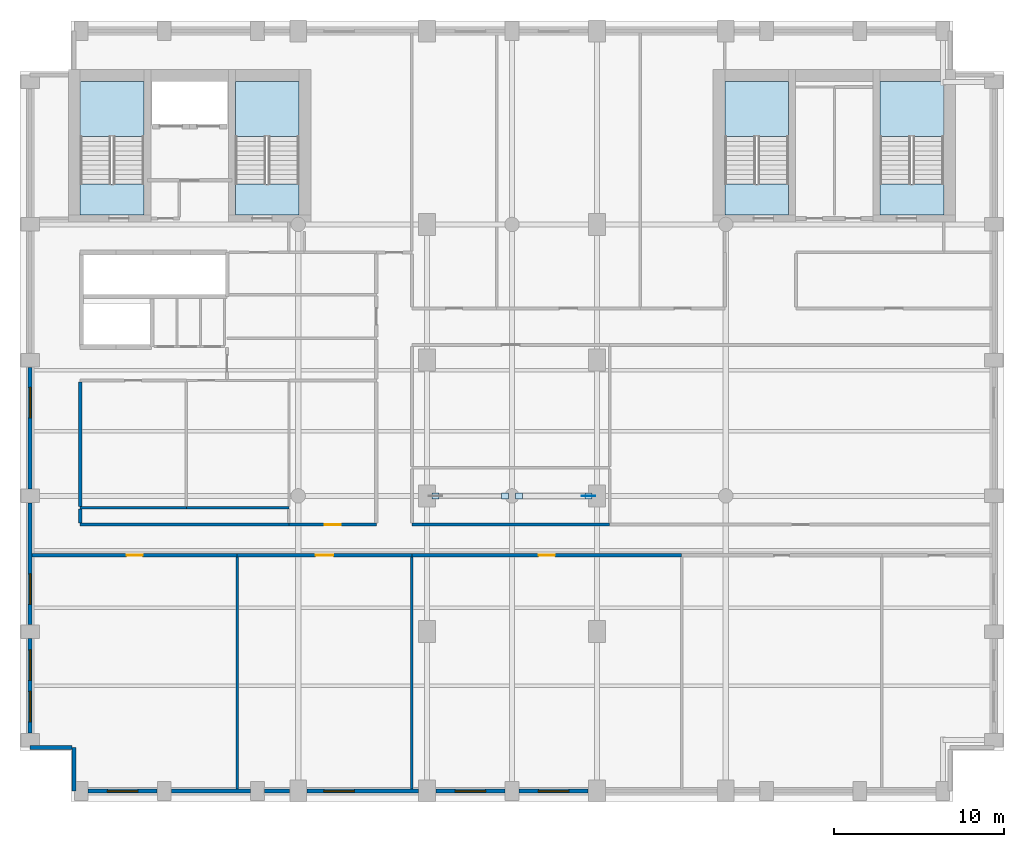
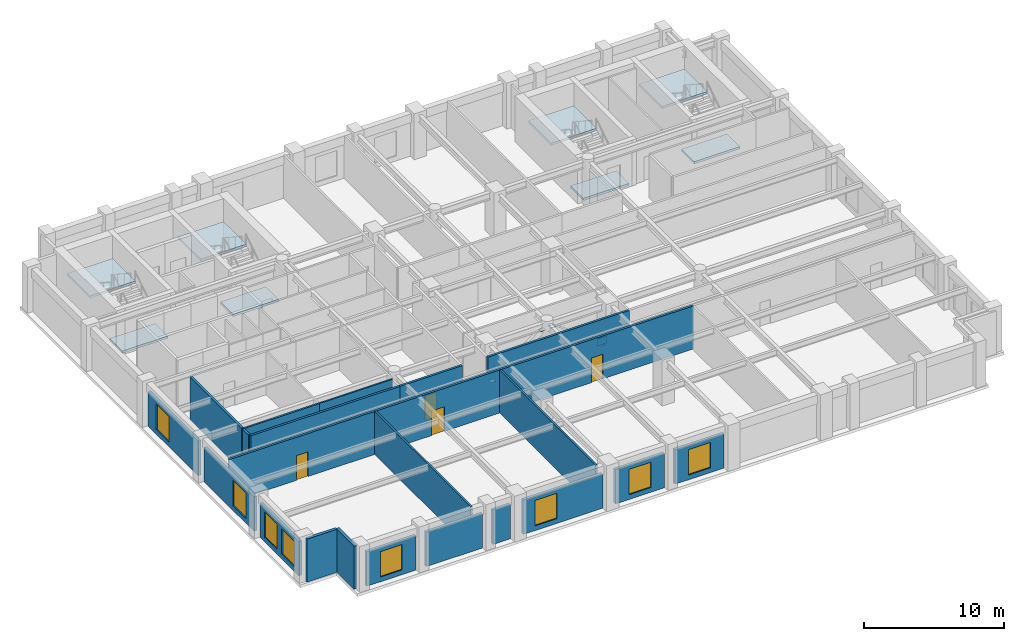
# One storey, part 4 of 10: 23 walls, 8 slabs, 8 windows, 5 plates, 4 doors, 12 openings, 4 elements without a shape of their own.
"""IFC4 building model written with IfcOpenShell, lengths in metres."""

from ifc_helpers import new_model, si_unit, direction, frame, frame_2d, origin, origin_2d, place, context, subcontext, project, spatial, polyline, rectangle, outline, extrude, material, layer, layer_set, type_object, element, fill, aggregate, save


model = new_model("IFC4")

# Units and contexts
model_context = context("Model", 3, precision=1e-05, world=origin(), true_north=direction((0.0, 1.0)))
body_context = subcontext(model_context, "Body", "Model", "MODEL_VIEW")
ifc_project = project(units=[si_unit("LENGTHUNIT", "METRE"), si_unit("AREAUNIT", "SQUARE_METRE"), si_unit("VOLUMEUNIT", "CUBIC_METRE"), si_unit("PLANEANGLEUNIT", "RADIAN"), si_unit("MASSUNIT", "GRAM", prefix="KILO")], contexts=[model_context])

# Site, building, storey
site_placement = place(None, origin())
site = spatial("IfcSite", under=ifc_project, at=site_placement, CompositionType="ELEMENT")
building_placement = place(site_placement, origin())
building = spatial("IfcBuilding", under=site, at=building_placement, Name="Sulina Concourse Tower", CompositionType="ELEMENT")
storey_placement = place(building_placement, frame((0.0, 0.0, 214.60009765625)))
storey = spatial("IfcBuildingStorey", under=building, at=storey_placement, Name="L52", CompositionType="ELEMENT", Elevation=214.60009765625)

# Slabs
ifc_material_1 = material(Name="Concrete C50/60", Category="concrete")
ifc_layer_1 = layer(ifc_material_1, 0.199951171875)
ifc_layer_set_1 = layer_set([ifc_layer_1], Name="Concrete C50/60")
slab_type = type_object("IfcSlabType", Name="Primary Core Stair Landing Slab 200mm", PredefinedType="LANDING", material=ifc_layer_set_1)
slab_1_placement = place(storey_placement, frame((0.0, 0.0, -0.2001953125)))
element("IfcSlab", 1, at=slab_1_placement, inside=storey, type_object=slab_type, Name="L52 ST-1 floor landing slab", PredefinedType="LANDING", context=body_context, shape_type="SweptSolid", body=[
    extrude(outline(polyline([(7.31005859375, 34.550048828125), (7.31005859375, 36.375), (3.550048828125, 36.375), (3.550048828125, 34.550048828125), (7.31005859375, 34.550048828125)])), origin(), (0.0, 0.0, 1.0), 0.2001953125),
])
slab_2_placement = place(storey_placement, frame((0.0, 0.0, -0.2001953125)))
element("IfcSlab", 2, at=slab_2_placement, inside=storey, type_object=slab_type, Name="L52 ST-2 floor landing slab", PredefinedType="LANDING", context=body_context, shape_type="SweptSolid", body=[
    extrude(outline(polyline([(16.449951171875, 34.550048828125), (16.449951171875, 36.375), (12.68994140625, 36.375), (12.68994140625, 34.550048828125), (16.449951171875, 34.550048828125)])), origin(), (0.0, 0.0, 1.0), 0.2001953125),
])
slab_3_placement = place(storey_placement, frame((0.0, 0.0, -0.2001953125)))
element("IfcSlab", 3, at=slab_3_placement, inside=storey, type_object=slab_type, Name="L52 ST-3 floor landing slab", PredefinedType="LANDING", context=body_context, shape_type="SweptSolid", body=[
    extrude(outline(polyline([(45.31005859375, 34.550048828125), (45.31005859375, 36.375), (41.550048828125, 36.375), (41.550048828125, 34.550048828125), (45.31005859375, 34.550048828125)])), origin(), (0.0, 0.0, 1.0), 0.2001953125),
])
slab_4_placement = place(storey_placement, frame((0.0, 0.0, -0.2001953125)))
element("IfcSlab", 4, at=slab_4_placement, inside=storey, type_object=slab_type, Name="L52 ST-4 floor landing slab", PredefinedType="LANDING", context=body_context, shape_type="SweptSolid", body=[
    extrude(outline(polyline([(54.449951171875, 34.550048828125), (54.449951171875, 36.375), (50.68994140625, 36.375), (50.68994140625, 34.550048828125), (54.449951171875, 34.550048828125)])), origin(), (0.0, 0.0, 1.0), 0.2001953125),
])

# Stair, slab
ifc_material_2 = material(Name="Concrete C50/60", Category="concrete")
stair_type_1 = type_object("IfcStairType", Name="Primary Core Dog-Leg Exit Stair 1800mm", PredefinedType="HALF_TURN_STAIR", material=ifc_material_2)
stair_1_placement = place(storey_placement, origin())
stair_1 = element("IfcStair", 5, at=stair_1_placement, inside=storey, type_object=stair_type_1, Name="L52 ST-1", PredefinedType="HALF_TURN_STAIR")
slab_5_placement = place(storey_placement, frame((0.0, 0.0, 1.7998046875)))
slab_5 = element("IfcSlab", 6, at=slab_5_placement, type_object=slab_type, Name="ST-1 landing 1", PredefinedType="LANDING", context=body_context, shape_type="SweptSolid", body=[
    extrude(outline(polyline([(7.304931640625, 39.175048828125), (7.304931640625, 42.425048828125), (3.554931640625, 42.425048828125), (3.554931640625, 39.175048828125), (7.304931640625, 39.175048828125)])), origin(), (0.0, 0.0, 1.0), 0.2001953125),
])
aggregate(stair_1, [slab_5])

stair_2_placement = place(storey_placement, origin())
stair_2 = element("IfcStair", 7, at=stair_2_placement, inside=storey, type_object=stair_type_1, Name="L52 ST-2", PredefinedType="HALF_TURN_STAIR")
slab_6_placement = place(storey_placement, frame((0.0, 0.0, 1.7998046875)))
slab_6 = element("IfcSlab", 8, at=slab_6_placement, type_object=slab_type, Name="ST-2 landing 1", PredefinedType="LANDING", context=body_context, shape_type="SweptSolid", body=[
    extrude(outline(polyline([(16.445068359375, 39.175048828125), (16.445068359375, 42.425048828125), (12.695068359375, 42.425048828125), (12.695068359375, 39.175048828125), (16.445068359375, 39.175048828125)])), origin(), (0.0, 0.0, 1.0), 0.2001953125),
])
aggregate(stair_2, [slab_6])

ifc_material_3 = material(Name="Concrete C50/60", Category="concrete")
stair_type_2 = type_object("IfcStairType", Name="Portal & Podium Core Exit Stair 1820mm", PredefinedType="HALF_TURN_STAIR", material=ifc_material_3)
stair_3_placement = place(storey_placement, origin())
stair_3 = element("IfcStair", 9, at=stair_3_placement, inside=storey, type_object=stair_type_2, Name="L52 ST-3", PredefinedType="HALF_TURN_STAIR")
slab_7_placement = place(storey_placement, frame((0.0, 0.0, 1.7998046875)))
slab_7 = element("IfcSlab", 10, at=slab_7_placement, type_object=slab_type, Name="ST-3 landing 1", PredefinedType="LANDING", context=body_context, shape_type="SweptSolid", body=[
    extrude(outline(polyline([(45.304931640625, 39.175048828125), (45.304931640625, 42.425048828125), (41.554931640625, 42.425048828125), (41.554931640625, 39.175048828125), (45.304931640625, 39.175048828125)])), origin(), (0.0, 0.0, 1.0), 0.2001953125),
])
aggregate(stair_3, [slab_7])

stair_4_placement = place(storey_placement, origin())
stair_4 = element("IfcStair", 11, at=stair_4_placement, inside=storey, type_object=stair_type_2, Name="L52 ST-4", PredefinedType="HALF_TURN_STAIR")
slab_8_placement = place(storey_placement, frame((0.0, 0.0, 1.7998046875)))
slab_8 = element("IfcSlab", 12, at=slab_8_placement, type_object=slab_type, Name="ST-4 landing 1", PredefinedType="LANDING", context=body_context, shape_type="SweptSolid", body=[
    extrude(outline(polyline([(54.445068359375, 39.175048828125), (54.445068359375, 42.425048828125), (50.695068359375, 42.425048828125), (50.695068359375, 39.175048828125), (54.445068359375, 39.175048828125)])), origin(), (0.0, 0.0, 1.0), 0.2001953125),
])
aggregate(stair_4, [slab_8])

# Plates
ifc_material_4 = material(Name="Steel S355", Category="steel")
ifc_layer_2 = layer(ifc_material_4, 0.0400390625)
ifc_layer_set_2 = layer_set([ifc_layer_2], Name="Steel S355")
plate_type_1 = type_object("IfcPlateType", Name="Upper Bridge Node Gusset Plate 40mm", PredefinedType="USERDEFINED", material=ifc_layer_set_2)
plate_placement = place(storey_placement, frame((33.510009765625, 18.0, 0.094970703125), z_axis=(0.0, 0.0, 1.0), x_axis=(1.0, 0.0, 0.0)))
element("IfcPlate", 13, at=plate_placement, inside=storey, type_object=plate_type_1, Name="UBT-DG-2-L52 node gusset plate", ObjectType="GUSSET_PLATE", PredefinedType="USERDEFINED", context=body_context, shape_type="SweptSolid", body=[
    extrude(rectangle(XDim=0.800048828125, YDim=0.0400390625, at=origin_2d()), origin(), (0.0, 0.0, 1.0), 0.64990234375),
])
ifc_material_5 = material(Name="Steel S355", Category="steel")
ifc_layer_3 = layer(ifc_material_5, 0.02001953125)
ifc_layer_set_3 = layer_set([ifc_layer_3], Name="Steel S355")
plate_type_2 = type_object("IfcPlateType", Name="Upper Hollow Brace End-Cap Plate 20mm", PredefinedType="USERDEFINED", material=ifc_layer_set_3)
for number, where, z_axis, x_axis, name in (
    (14, (24.489990234375, 18.0, 0.10986328125), (0.0, 0.0, 1.0), (1.0, 0.0, 0.0), "UBT-DG-1-L52 end cap plate 1"),
    (15, (28.5849609375, 18.0, 3.1298828125), (0.0, 0.0, 1.0), (1.0, 0.0, 0.0), "UBT-DG-1-L52 end cap plate 2"),
    (16, (33.510009765625, 18.0, 0.10986328125), (0.0, 0.0, 1.0), (1.0, 0.0, 0.0), "UBT-DG-2-L52 end cap plate 1"),
    (17, (29.4150390625, 18.0, 3.1298828125), (0.0, 0.0, 1.0), (1.0, 0.0, 0.0), "UBT-DG-2-L52 end cap plate 2"),
):
    element("IfcPlate", number, at=place(storey_placement, frame(where, z_axis=z_axis, x_axis=x_axis)), inside=storey, type_object=plate_type_2, Name=name, ObjectType="CAP_PLATE", PredefinedType="USERDEFINED", context=body_context, shape_type="SweptSolid", body=[
        extrude(rectangle(XDim=0.409912109375, YDim=0.360107421875, at=origin_2d()), origin(), (0.0, 0.0, 1.0), 0.02001953125),
    ])

# Wall, opening, window
ifc_material_6 = material(Name="Precast concrete C50/60", Category="concrete")
ifc_layer_4 = layer(ifc_material_6, 0.239990234375)
ifc_layer_set_4 = layer_set([ifc_layer_4], Name="Precast concrete C50/60")
wall_type_1 = type_object("IfcWallType", Name="Crown Precast Masonry-Frame Facade Wall 240mm", PredefinedType="SOLIDWALL", material=ifc_layer_set_4)
wall_1_placement = place(storey_placement, frame((8.080078125, 0.60009765625, 0.0), z_axis=(0.0, 0.0, 1.0), x_axis=(-1.0, 0.0, 0.0)))
wall_1 = element("IfcWall", 18, at=wall_1_placement, inside=storey, type_object=wall_type_1, Name="L52 exterior precast wall S1", PredefinedType="SOLIDWALL", context=body_context, shape_type="SweptSolid", body=[
    extrude(rectangle(XDim=4.06005859375, YDim=0.239990234375, at=frame_2d((2.030029296875, 0.0))), origin(), (0.0, 0.0, 1.0), 3.0),
])
opening_1_placement = place(wall_1_placement, frame((1.1298828125, 0.0, 0.419921875)))
opening_1 = element("IfcOpeningElement", 19, at=opening_1_placement, cuts=wall_1, Name="Opening WN-25", PredefinedType="OPENING", context=body_context, shape_type="SweptSolid", body=[
    extrude(rectangle(XDim=1.800048828125, YDim=2.199951171875, at=frame_2d((0.89990234375, 1.10009765625))), frame((0.0, 0.1298828125, 0.0), z_axis=(0.0, -1.0, 0.0), x_axis=(1.0, 0.0, 0.0)), (0.0, 0.0, 1.0), 0.260009765625),
])
ifc_material_7 = material(Name="Low-E solar double glazing in bronze aluminium", Category="aluminium")
window_type = type_object("IfcWindowType", Name="Punched Masonry-Frame Window 1800x2200", PartitioningType="SINGLE_PANEL", PredefinedType="WINDOW", material=ifc_material_7)
window_1_placement = place(opening_1_placement, origin())
window_1 = element("IfcWindow", 20, at=window_1_placement, inside=storey, type_object=window_type, Name="L52 punched window S1-1", OverallHeight=2.199951171875, OverallWidth=1.800048828125, PartitioningType="SINGLE_PANEL", PredefinedType="WINDOW", context=body_context, shape_type="SweptSolid", body=[
    extrude(rectangle(XDim=1.800048828125, YDim=2.199951171875, at=frame_2d((0.89990234375, 1.10009765625))), frame((0.0, 0.030029296875, 0.0), z_axis=(0.0, -1.0, 0.0), x_axis=(1.0, 0.0, 0.0)), (0.0, 0.0, 1.0), 0.06005859375),
])
fill(opening_1, window_1)

# Walls
wall_2_placement = place(storey_placement, frame((13.580078125, 0.60009765625, 0.0), z_axis=(0.0, 0.0, 1.0), x_axis=(-1.0, 0.0, 0.0)))
element("IfcWall", 21, at=wall_2_placement, inside=storey, type_object=wall_type_1, Name="L52 exterior precast wall S2", PredefinedType="SOLIDWALL", context=body_context, shape_type="SweptSolid", body=[
    extrude(rectangle(XDim=4.66015625, YDim=0.239990234375, at=frame_2d((2.330078125, 0.0))), origin(), (0.0, 0.0, 1.0), 3.0),
])
wall_3_placement = place(storey_placement, frame((15.8798828125, 0.60009765625, 0.0), z_axis=(0.0, 0.0, 1.0), x_axis=(-1.0, 0.0, 0.0)))
element("IfcWall", 22, at=wall_3_placement, inside=storey, type_object=wall_type_1, Name="L52 exterior precast wall S3", PredefinedType="SOLIDWALL", context=body_context, shape_type="SweptSolid", body=[
    extrude(rectangle(XDim=1.4599609375, YDim=0.239990234375, at=frame_2d((0.72998046875, 0.0))), origin(), (0.0, 0.0, 1.0), 3.0),
])

# Wall, opening, window
wall_4_placement = place(storey_placement, frame((23.47998046875, 0.60009765625, 0.0), z_axis=(0.0, 0.0, 1.0), x_axis=(-1.0, 0.0, 0.0)))
wall_4 = element("IfcWall", 23, at=wall_4_placement, inside=storey, type_object=wall_type_1, Name="L52 exterior precast wall S4", PredefinedType="SOLIDWALL", context=body_context, shape_type="SweptSolid", body=[
    extrude(rectangle(XDim=6.56005859375, YDim=0.239990234375, at=frame_2d((3.280029296875, 0.0))), origin(), (0.0, 0.0, 1.0), 3.0),
])
opening_2_placement = place(wall_4_placement, frame((3.773193359375, 0.0, 0.419921875)))
opening_2 = element("IfcOpeningElement", 24, at=opening_2_placement, cuts=wall_4, Name="Opening WN-25", PredefinedType="OPENING", context=body_context, shape_type="SweptSolid", body=[
    extrude(rectangle(XDim=1.800048828125, YDim=2.199951171875, at=frame_2d((0.89990234375, 1.10009765625))), frame((0.0, 0.1298828125, 0.0), z_axis=(0.0, -1.0, 0.0), x_axis=(1.0, 0.0, 0.0)), (0.0, 0.0, 1.0), 0.260009765625),
])
window_2_placement = place(opening_2_placement, origin())
window_2 = element("IfcWindow", 25, at=window_2_placement, inside=storey, type_object=window_type, Name="L52 punched window S4-1", OverallHeight=2.199951171875, OverallWidth=1.800048828125, PartitioningType="SINGLE_PANEL", PredefinedType="WINDOW", context=body_context, shape_type="SweptSolid", body=[
    extrude(rectangle(XDim=1.800048828125, YDim=2.199951171875, at=frame_2d((0.89990234375, 1.10009765625))), frame((0.0, 0.030029296875, 0.0), z_axis=(0.0, -1.0, 0.0), x_axis=(1.0, 0.0, 0.0)), (0.0, 0.0, 1.0), 0.06005859375),
])
fill(opening_2, window_2)

wall_5_placement = place(storey_placement, frame((28.580078125, 0.60009765625, 0.0), z_axis=(0.0, 0.0, 1.0), x_axis=(-1.0, 0.0, 0.0)))
wall_5 = element("IfcWall", 26, at=wall_5_placement, inside=storey, type_object=wall_type_1, Name="L52 exterior precast wall S5", PredefinedType="SOLIDWALL", context=body_context, shape_type="SweptSolid", body=[
    extrude(rectangle(XDim=4.06005859375, YDim=0.239990234375, at=frame_2d((2.030029296875, 0.0))), origin(), (0.0, 0.0, 1.0), 3.0),
])
opening_3_placement = place(wall_5_placement, frame((1.1298828125, 0.0, 0.419921875)))
opening_3 = element("IfcOpeningElement", 27, at=opening_3_placement, cuts=wall_5, Name="Opening WN-25", PredefinedType="OPENING", context=body_context, shape_type="SweptSolid", body=[
    extrude(rectangle(XDim=1.800048828125, YDim=2.199951171875, at=frame_2d((0.89990234375, 1.10009765625))), frame((0.0, 0.1298828125, 0.0), z_axis=(0.0, -1.0, 0.0), x_axis=(1.0, 0.0, 0.0)), (0.0, 0.0, 1.0), 0.260009765625),
])
window_3_placement = place(opening_3_placement, origin())
window_3 = element("IfcWindow", 28, at=window_3_placement, inside=storey, type_object=window_type, Name="L52 punched window S5-1", OverallHeight=2.199951171875, OverallWidth=1.800048828125, PartitioningType="SINGLE_PANEL", PredefinedType="WINDOW", context=body_context, shape_type="SweptSolid", body=[
    extrude(rectangle(XDim=1.800048828125, YDim=2.199951171875, at=frame_2d((0.89990234375, 1.10009765625))), frame((0.0, 0.030029296875, 0.0), z_axis=(0.0, -1.0, 0.0), x_axis=(1.0, 0.0, 0.0)), (0.0, 0.0, 1.0), 0.06005859375),
])
fill(opening_3, window_3)

wall_6_placement = place(storey_placement, frame((33.47998046875, 0.60009765625, 0.0), z_axis=(0.0, 0.0, 1.0), x_axis=(-1.0, 0.0, 0.0)))
wall_6 = element("IfcWall", 29, at=wall_6_placement, inside=storey, type_object=wall_type_1, Name="L52 exterior precast wall S6", PredefinedType="SOLIDWALL", context=body_context, shape_type="SweptSolid", body=[
    extrude(rectangle(XDim=4.06005859375, YDim=0.239990234375, at=frame_2d((2.030029296875, 0.0))), origin(), (0.0, 0.0, 1.0), 3.0),
])
opening_4_placement = place(wall_6_placement, frame((1.1298828125, 0.0, 0.419921875)))
opening_4 = element("IfcOpeningElement", 30, at=opening_4_placement, cuts=wall_6, Name="Opening WN-25", PredefinedType="OPENING", context=body_context, shape_type="SweptSolid", body=[
    extrude(rectangle(XDim=1.800048828125, YDim=2.199951171875, at=frame_2d((0.89990234375, 1.10009765625))), frame((0.0, 0.1298828125, 0.0), z_axis=(0.0, -1.0, 0.0), x_axis=(1.0, 0.0, 0.0)), (0.0, 0.0, 1.0), 0.260009765625),
])
window_4_placement = place(opening_4_placement, origin())
window_4 = element("IfcWindow", 31, at=window_4_placement, inside=storey, type_object=window_type, Name="L52 punched window S6-1", OverallHeight=2.199951171875, OverallWidth=1.800048828125, PartitioningType="SINGLE_PANEL", PredefinedType="WINDOW", context=body_context, shape_type="SweptSolid", body=[
    extrude(rectangle(XDim=1.800048828125, YDim=2.199951171875, at=frame_2d((0.89990234375, 1.10009765625))), frame((0.0, 0.030029296875, 0.0), z_axis=(0.0, -1.0, 0.0), x_axis=(1.0, 0.0, 0.0)), (0.0, 0.0, 1.0), 0.06005859375),
])
fill(opening_4, window_4)

# Wall, openings, windows
wall_7_placement = place(storey_placement, frame((0.60009765625, 4.02001953125, 0.0), z_axis=(0.0, 0.0, 1.0), x_axis=(0.0, 1.0, 0.0)))
wall_7 = element("IfcWall", 32, at=wall_7_placement, inside=storey, type_object=wall_type_1, Name="L52 exterior precast wall W1", PredefinedType="SOLIDWALL", context=body_context, shape_type="SweptSolid", body=[
    extrude(rectangle(XDim=5.56005859375, YDim=0.239990234375, at=frame_2d((2.780029296875, 0.0))), origin(), (0.0, 0.0, 1.0), 3.0),
])
opening_5_placement = place(wall_7_placement, frame((0.6533203125, 0.0, 0.419921875)))
opening_5 = element("IfcOpeningElement", 33, at=opening_5_placement, cuts=wall_7, Name="Opening WN-25", PredefinedType="OPENING", context=body_context, shape_type="SweptSolid", body=[
    extrude(rectangle(XDim=1.800048828125, YDim=2.199951171875, at=frame_2d((0.89990234375, 1.10009765625))), frame((0.0, 0.1298828125, 0.0), z_axis=(0.0, -1.0, 0.0), x_axis=(1.0, 0.0, 0.0)), (0.0, 0.0, 1.0), 0.260009765625),
])
opening_6_placement = place(wall_7_placement, frame((3.106689453125, 0.0, 0.419921875)))
opening_6 = element("IfcOpeningElement", 34, at=opening_6_placement, cuts=wall_7, Name="Opening WN-25", PredefinedType="OPENING", context=body_context, shape_type="SweptSolid", body=[
    extrude(rectangle(XDim=1.800048828125, YDim=2.199951171875, at=frame_2d((0.89990234375, 1.10009765625))), frame((0.0, 0.1298828125, 0.0), z_axis=(0.0, -1.0, 0.0), x_axis=(1.0, 0.0, 0.0)), (0.0, 0.0, 1.0), 0.260009765625),
])
window_5_placement = place(opening_5_placement, origin())
window_5 = element("IfcWindow", 35, at=window_5_placement, inside=storey, type_object=window_type, Name="L52 punched window W1-1", OverallHeight=2.199951171875, OverallWidth=1.800048828125, PartitioningType="SINGLE_PANEL", PredefinedType="WINDOW", context=body_context, shape_type="SweptSolid", body=[
    extrude(rectangle(XDim=1.800048828125, YDim=2.199951171875, at=frame_2d((0.89990234375, 1.10009765625))), frame((0.0, 0.030029296875, 0.0), z_axis=(0.0, -1.0, 0.0), x_axis=(1.0, 0.0, 0.0)), (0.0, 0.0, 1.0), 0.06005859375),
])
fill(opening_5, window_5)
window_6_placement = place(opening_6_placement, origin())
window_6 = element("IfcWindow", 36, at=window_6_placement, inside=storey, type_object=window_type, Name="L52 punched window W1-2", OverallHeight=2.199951171875, OverallWidth=1.800048828125, PartitioningType="SINGLE_PANEL", PredefinedType="WINDOW", context=body_context, shape_type="SweptSolid", body=[
    extrude(rectangle(XDim=1.800048828125, YDim=2.199951171875, at=frame_2d((0.89990234375, 1.10009765625))), frame((0.0, 0.030029296875, 0.0), z_axis=(0.0, -1.0, 0.0), x_axis=(1.0, 0.0, 0.0)), (0.0, 0.0, 1.0), 0.06005859375),
])
fill(opening_6, window_6)

# Wall, opening, window
wall_8_placement = place(storey_placement, frame((0.60009765625, 10.419921875, 0.0), z_axis=(0.0, 0.0, 1.0), x_axis=(0.0, 1.0, 0.0)))
wall_8 = element("IfcWall", 37, at=wall_8_placement, inside=storey, type_object=wall_type_1, Name="L52 exterior precast wall W2", PredefinedType="SOLIDWALL", context=body_context, shape_type="SweptSolid", body=[
    extrude(rectangle(XDim=7.16015625, YDim=0.239990234375, at=frame_2d((3.580078125, 0.0))), origin(), (0.0, 0.0, 1.0), 3.0),
])
opening_7_placement = place(wall_8_placement, frame((1.186767578125, 0.0, 0.419921875)))
opening_7 = element("IfcOpeningElement", 38, at=opening_7_placement, cuts=wall_8, Name="Opening WN-25", PredefinedType="OPENING", context=body_context, shape_type="SweptSolid", body=[
    extrude(rectangle(XDim=1.800048828125, YDim=2.199951171875, at=frame_2d((0.89990234375, 1.10009765625))), frame((0.0, 0.1298828125, 0.0), z_axis=(0.0, -1.0, 0.0), x_axis=(1.0, 0.0, 0.0)), (0.0, 0.0, 1.0), 0.260009765625),
])
window_7_placement = place(opening_7_placement, origin())
window_7 = element("IfcWindow", 39, at=window_7_placement, inside=storey, type_object=window_type, Name="L52 punched window W2-1", OverallHeight=2.199951171875, OverallWidth=1.800048828125, PartitioningType="SINGLE_PANEL", PredefinedType="WINDOW", context=body_context, shape_type="SweptSolid", body=[
    extrude(rectangle(XDim=1.800048828125, YDim=2.199951171875, at=frame_2d((0.89990234375, 1.10009765625))), frame((0.0, 0.030029296875, 0.0), z_axis=(0.0, -1.0, 0.0), x_axis=(1.0, 0.0, 0.0)), (0.0, 0.0, 1.0), 0.06005859375),
])
fill(opening_7, window_7)

wall_9_placement = place(storey_placement, frame((0.60009765625, 18.419921875, 0.0), z_axis=(0.0, 0.0, 1.0), x_axis=(0.0, 1.0, 0.0)))
wall_9 = element("IfcWall", 40, at=wall_9_placement, inside=storey, type_object=wall_type_1, Name="L52 exterior precast wall W3", PredefinedType="SOLIDWALL", context=body_context, shape_type="SweptSolid", body=[
    extrude(rectangle(XDim=7.16015625, YDim=0.239990234375, at=frame_2d((3.580078125, 0.0))), origin(), (0.0, 0.0, 1.0), 3.0),
])
opening_8_placement = place(wall_9_placement, frame((4.17333984375, 0.0, 0.419921875)))
opening_8 = element("IfcOpeningElement", 41, at=opening_8_placement, cuts=wall_9, Name="Opening WN-25", PredefinedType="OPENING", context=body_context, shape_type="SweptSolid", body=[
    extrude(rectangle(XDim=1.800048828125, YDim=2.199951171875, at=frame_2d((0.89990234375, 1.10009765625))), frame((0.0, 0.1298828125, 0.0), z_axis=(0.0, -1.0, 0.0), x_axis=(1.0, 0.0, 0.0)), (0.0, 0.0, 1.0), 0.260009765625),
])
window_8_placement = place(opening_8_placement, origin())
window_8 = element("IfcWindow", 42, at=window_8_placement, inside=storey, type_object=window_type, Name="L52 punched window W3-1", OverallHeight=2.199951171875, OverallWidth=1.800048828125, PartitioningType="SINGLE_PANEL", PredefinedType="WINDOW", context=body_context, shape_type="SweptSolid", body=[
    extrude(rectangle(XDim=1.800048828125, YDim=2.199951171875, at=frame_2d((0.89990234375, 1.10009765625))), frame((0.0, 0.030029296875, 0.0), z_axis=(0.0, -1.0, 0.0), x_axis=(1.0, 0.0, 0.0)), (0.0, 0.0, 1.0), 0.06005859375),
])
fill(opening_8, window_8)

# Walls
wall_10_placement = place(storey_placement, frame((3.179931640625, 0.60009765625, 0.0), z_axis=(0.0, 0.0, 1.0), x_axis=(0.0, 1.0, 0.0)))
element("IfcWall", 43, at=wall_10_placement, inside=storey, type_object=wall_type_1, Name="L52 exterior precast wall CSW1", PredefinedType="SOLIDWALL", context=body_context, shape_type="SweptSolid", body=[
    extrude(rectangle(XDim=2.579833984375, YDim=0.239990234375, at=frame_2d((1.2900390625, 0.0))), origin(), (0.0, 0.0, 1.0), 3.75),
])
wall_11_placement = place(storey_placement, frame((3.054931640625, 3.179931640625, 0.0), z_axis=(0.0, 0.0, 1.0), x_axis=(-1.0, 0.0, 0.0)))
element("IfcWall", 44, at=wall_11_placement, inside=storey, type_object=wall_type_1, Name="L52 exterior precast wall CSW2", PredefinedType="SOLIDWALL", context=body_context, shape_type="SweptSolid", body=[
    extrude(rectangle(XDim=2.454833984375, YDim=0.239990234375, at=frame_2d((1.2275390625, 0.0))), origin(), (0.0, 0.0, 1.0), 3.75),
])
ifc_material_8 = material(Name="Gypsum board on steel stud", Category="steel")
ifc_layer_5 = layer(ifc_material_8, 0.14990234375)
ifc_layer_set_5 = layer_set([ifc_layer_5], Name="Gypsum board on steel stud")
wall_type_2 = type_object("IfcWallType", Name="Inter-Tenancy Acoustic Partition 150mm", PredefinedType="PARTITIONING", material=ifc_layer_set_5)
wall_12_placement = place(storey_placement, frame((3.550048828125, 17.300048828125, 0.0), z_axis=(0.0, 0.0, 1.0), x_axis=(1.0, 0.0, 0.0)))
element("IfcWall", 45, at=wall_12_placement, inside=storey, type_object=wall_type_2, Name="L52 interior partition 010", PredefinedType="PARTITIONING", context=body_context, shape_type="SweptSolid", body=[
    extrude(rectangle(XDim=6.25, YDim=0.14990234375, at=frame_2d((3.125, 0.0))), origin(), (0.0, 0.0, 1.0), 3.75),
])
for number, where, z_axis, x_axis, name in (
    (46, (12.800048828125, 0.719970703125, 0.0), (0.0, 0.0, 1.0), (0.0, 1.0, 0.0), "L52 interior partition 046"),
    (47, (23.10009765625, 0.719970703125, 0.0), (0.0, 0.0, 1.0), (0.0, 1.0, 0.0), "L52 interior partition 055"),
):
    element("IfcWall", number, at=place(storey_placement, frame(where, z_axis=z_axis, x_axis=x_axis)), inside=storey, type_object=wall_type_2, Name=name, PredefinedType="PARTITIONING", context=body_context, shape_type="SweptSolid", body=[
        extrude(rectangle(XDim=13.68994140625, YDim=0.14990234375, at=frame_2d((6.844970703125, 0.0))), origin(), (0.0, 0.0, 1.0), 3.75),
    ])

# Wall, opening, door
ifc_material_9 = material(Name="Gypsum board on steel stud", Category="steel")
ifc_layer_6 = layer(ifc_material_9, 0.179931640625)
ifc_layer_set_6 = layer_set([ifc_layer_6], Name="Gypsum board on steel stud")
wall_type_3 = type_object("IfcWallType", Name="Protected Corridor & Riser Partition 180mm", PredefinedType="PARTITIONING", material=ifc_layer_set_6)
wall_13_placement = place(storey_placement, frame((0.719970703125, 14.5, 0.0), z_axis=(0.0, 0.0, 1.0), x_axis=(1.0, 0.0, 0.0)))
wall_13 = element("IfcWall", 48, at=wall_13_placement, inside=storey, type_object=wall_type_3, Name="L52 interior partition 001", PredefinedType="PARTITIONING", context=body_context, shape_type="SweptSolid", body=[
    extrude(rectangle(XDim=12.080078125, YDim=0.179931640625, at=frame_2d((6.0400390625, 0.0))), origin(), (0.0, 0.0, 1.0), 3.75),
])
opening_9_placement = place(wall_13_placement, frame((5.56494140625, 0.0, 0.0)))
opening_9 = element("IfcOpeningElement", 49, at=opening_9_placement, cuts=wall_13, Name="Opening DR-19", PredefinedType="OPENING", context=body_context, shape_type="SweptSolid", body=[
    extrude(rectangle(XDim=0.949951171875, YDim=2.14990234375, at=frame_2d((0.47509765625, 1.074951171875))), frame((0.0, 0.099853515625, 0.0), z_axis=(0.0, -1.0, 0.0), x_axis=(1.0, 0.0, 0.0)), (0.0, 0.0, 1.0), 0.199951171875),
])
ifc_material_10 = material(Name="Oak-veneered acoustic timber leaf", Category="wood")
ifc_layer_7 = layer(ifc_material_10, 0.050048828125)
ifc_layer_set_7 = layer_set([ifc_layer_7], Name="Oak-veneered acoustic timber leaf")
door_type_1 = type_object("IfcDoorType", Name="Cellular Office & Meeting Door 950x2150", OperationType="NOTDEFINED", PredefinedType="DOOR", material=ifc_layer_set_7)
door_1_placement = place(opening_9_placement, origin())
door_1 = element("IfcDoor", 50, at=door_1_placement, inside=storey, type_object=door_type_1, Name="L52 interior door L52-S01", OperationType="SINGLE_SWING_LEFT", OverallHeight=2.14990234375, OverallWidth=0.949951171875, PredefinedType="DOOR", context=body_context, shape_type="SweptSolid", body=[
    extrude(rectangle(XDim=0.949951171875, YDim=2.14990234375, at=frame_2d((0.47509765625, 1.074951171875))), frame((0.0, 0.02490234375, 0.0), z_axis=(0.0, -1.0, 0.0), x_axis=(1.0, 0.0, 0.0)), (0.0, 0.0, 1.0), 0.050048828125),
])
fill(opening_9, door_1)

wall_14_placement = place(storey_placement, frame((12.800048828125, 14.5, 0.0), z_axis=(0.0, 0.0, 1.0), x_axis=(1.0, 0.0, 0.0)))
wall_14 = element("IfcWall", 51, at=wall_14_placement, inside=storey, type_object=wall_type_3, Name="L52 interior partition 002", PredefinedType="PARTITIONING", context=body_context, shape_type="SweptSolid", body=[
    extrude(rectangle(XDim=10.300048828125, YDim=0.179931640625, at=frame_2d((5.14990234375, 0.0))), origin(), (0.0, 0.0, 1.0), 3.75),
])
opening_10_placement = place(wall_14_placement, frame((4.625, 0.0, 0.0)))
opening_10 = element("IfcOpeningElement", 52, at=opening_10_placement, cuts=wall_14, Name="Opening DR-37", PredefinedType="OPENING", context=body_context, shape_type="SweptSolid", body=[
    extrude(rectangle(XDim=1.050048828125, YDim=2.14990234375, at=frame_2d((0.52490234375, 1.074951171875))), frame((0.0, 0.099853515625, 0.0), z_axis=(0.0, -1.0, 0.0), x_axis=(1.0, 0.0, 0.0)), (0.0, 0.0, 1.0), 0.199951171875),
])
ifc_material_11 = material(Name="Oak-veneered fire door leaf")
ifc_layer_8 = layer(ifc_material_11, 0.050048828125)
ifc_layer_set_8 = layer_set([ifc_layer_8], Name="Oak-veneered fire door leaf")
door_type_2 = type_object("IfcDoorType", Name="Tenant Suite Entrance Fire Door 1050x2150", OperationType="NOTDEFINED", PredefinedType="DOOR", material=ifc_layer_set_8)
door_2_placement = place(opening_10_placement, origin())
door_2 = element("IfcDoor", 53, at=door_2_placement, inside=storey, type_object=door_type_2, Name="L52 interior door L52-S02", OperationType="SINGLE_SWING_RIGHT", OverallHeight=2.14990234375, OverallWidth=1.050048828125, PredefinedType="DOOR", context=body_context, shape_type="SweptSolid", body=[
    extrude(rectangle(XDim=1.050048828125, YDim=2.14990234375, at=frame_2d((0.52490234375, 1.074951171875))), frame((0.0, 0.02490234375, 0.0), z_axis=(0.0, -1.0, 0.0), x_axis=(1.0, 0.0, 0.0)), (0.0, 0.0, 1.0), 0.050048828125),
])
fill(opening_10, door_2)

wall_15_placement = place(storey_placement, frame((23.10009765625, 14.5, 0.0), z_axis=(0.0, 0.0, 1.0), x_axis=(1.0, 0.0, 0.0)))
wall_15 = element("IfcWall", 54, at=wall_15_placement, inside=storey, type_object=wall_type_3, Name="L52 interior partition 003", PredefinedType="PARTITIONING", context=body_context, shape_type="SweptSolid", body=[
    extrude(rectangle(XDim=15.89990234375, YDim=0.179931640625, at=frame_2d((7.949951171875, 0.0))), origin(), (0.0, 0.0, 1.0), 3.75),
])
opening_11_placement = place(wall_15_placement, frame((7.47509765625, 0.0, 0.0)))
opening_11 = element("IfcOpeningElement", 55, at=opening_11_placement, cuts=wall_15, Name="Opening DR-19", PredefinedType="OPENING", context=body_context, shape_type="SweptSolid", body=[
    extrude(rectangle(XDim=0.949951171875, YDim=2.14990234375, at=frame_2d((0.47509765625, 1.074951171875))), frame((0.0, 0.099853515625, 0.0), z_axis=(0.0, -1.0, 0.0), x_axis=(1.0, 0.0, 0.0)), (0.0, 0.0, 1.0), 0.199951171875),
])
door_3_placement = place(opening_11_placement, origin())
door_3 = element("IfcDoor", 56, at=door_3_placement, inside=storey, type_object=door_type_1, Name="L52 interior door L52-S03", OperationType="SINGLE_SWING_LEFT", OverallHeight=2.14990234375, OverallWidth=0.949951171875, PredefinedType="DOOR", context=body_context, shape_type="SweptSolid", body=[
    extrude(rectangle(XDim=0.949951171875, YDim=2.14990234375, at=frame_2d((0.47509765625, 1.074951171875))), frame((0.0, 0.02490234375, 0.0), z_axis=(0.0, -1.0, 0.0), x_axis=(1.0, 0.0, 0.0)), (0.0, 0.0, 1.0), 0.050048828125),
])
fill(opening_11, door_3)

# Wall
wall_16_placement = place(storey_placement, frame((3.550048828125, 16.300048828125, 0.0), z_axis=(0.0, 0.0, 1.0), x_axis=(1.0, 0.0, 0.0)))
element("IfcWall", 57, at=wall_16_placement, inside=storey, type_object=wall_type_3, Name="L52 interior partition 006", PredefinedType="PARTITIONING", context=body_context, shape_type="SweptSolid", body=[
    extrude(rectangle(XDim=12.300048828125, YDim=0.179931640625, at=frame_2d((6.14990234375, 0.0))), origin(), (0.0, 0.0, 1.0), 3.75),
])

# Wall, opening, door
wall_17_placement = place(storey_placement, frame((15.85009765625, 16.300048828125, 0.0), z_axis=(0.0, 0.0, 1.0), x_axis=(1.0, 0.0, 0.0)))
wall_17 = element("IfcWall", 58, at=wall_17_placement, inside=storey, type_object=wall_type_3, Name="L52 interior partition 007", PredefinedType="PARTITIONING", context=body_context, shape_type="SweptSolid", body=[
    extrude(rectangle(XDim=5.14990234375, YDim=0.179931640625, at=frame_2d((2.574951171875, 0.0))), origin(), (0.0, 0.0, 1.0), 3.75),
])
opening_12_placement = place(wall_17_placement, frame((2.10009765625, 0.0, 0.0)))
opening_12 = element("IfcOpeningElement", 59, at=opening_12_placement, cuts=wall_17, Name="Opening DR-19", PredefinedType="OPENING", context=body_context, shape_type="SweptSolid", body=[
    extrude(rectangle(XDim=0.949951171875, YDim=2.14990234375, at=frame_2d((0.47509765625, 1.074951171875))), frame((0.0, 0.099853515625, 0.0), z_axis=(0.0, -1.0, 0.0), x_axis=(1.0, 0.0, 0.0)), (0.0, 0.0, 1.0), 0.199951171875),
])
door_4_placement = place(opening_12_placement, origin())
door_4 = element("IfcDoor", 60, at=door_4_placement, inside=storey, type_object=door_type_1, Name="L52 interior door L52-NZ-PKW", OperationType="SINGLE_SWING_RIGHT", OverallHeight=2.14990234375, OverallWidth=0.949951171875, PredefinedType="DOOR", context=body_context, shape_type="SweptSolid", body=[
    extrude(rectangle(XDim=0.949951171875, YDim=2.14990234375, at=frame_2d((0.47509765625, 1.074951171875))), frame((0.0, 0.02490234375, 0.0), z_axis=(0.0, -1.0, 0.0), x_axis=(1.0, 0.0, 0.0)), (0.0, 0.0, 1.0), 0.050048828125),
])
fill(opening_12, door_4)

# Walls
wall_18_placement = place(storey_placement, frame((23.10009765625, 16.300048828125, 0.0), z_axis=(0.0, 0.0, 1.0), x_axis=(1.0, 0.0, 0.0)))
element("IfcWall", 61, at=wall_18_placement, inside=storey, type_object=wall_type_3, Name="L52 interior partition 008", PredefinedType="PARTITIONING", context=body_context, shape_type="SweptSolid", body=[
    extrude(rectangle(XDim=11.64990234375, YDim=0.179931640625, at=frame_2d((5.824951171875, 0.0))), origin(), (0.0, 0.0, 1.0), 3.75),
])
wall_19_placement = place(storey_placement, frame((3.550048828125, 16.389892578125, 0.0), z_axis=(0.0, 0.0, 1.0), x_axis=(0.0, 1.0, 0.0)))
element("IfcWall", 62, at=wall_19_placement, inside=storey, type_object=wall_type_3, Name="L52 interior partition 038", PredefinedType="PARTITIONING", context=body_context, shape_type="SweptSolid", body=[
    extrude(rectangle(XDim=0.835205078125, YDim=0.179931640625, at=frame_2d((0.41748046875, 0.0))), origin(), (0.0, 0.0, 1.0), 3.75),
])
wall_20_placement = place(storey_placement, frame((3.550048828125, 17.375, 0.0), z_axis=(0.0, 0.0, 1.0), x_axis=(0.0, 1.0, 0.0)))
element("IfcWall", 63, at=wall_20_placement, inside=storey, type_object=wall_type_3, Name="L52 interior partition 039", PredefinedType="PARTITIONING", context=body_context, shape_type="SweptSolid", body=[
    extrude(rectangle(XDim=7.35009765625, YDim=0.179931640625, at=frame_2d((3.675048828125, 0.0))), origin(), (0.0, 0.0, 1.0), 3.75),
])
ifc_material_12 = material(Name="Gypsum board on steel stud", Category="steel")
ifc_layer_9 = layer(ifc_material_12, 0.125)
ifc_layer_set_9 = layer_set([ifc_layer_9], Name="Gypsum board on steel stud")
wall_type_4 = type_object("IfcWallType", Name="Wet-Area Moisture-Resistant Partition 125mm", PredefinedType="PARTITIONING", material=ifc_layer_set_9)
wall_21_placement = place(storey_placement, frame((9.800048828125, 17.300048828125, 0.0), z_axis=(0.0, 0.0, 1.0), x_axis=(1.0, 0.0, 0.0)))
element("IfcWall", 64, at=wall_21_placement, inside=storey, type_object=wall_type_4, Name="L52 interior partition 011", PredefinedType="PARTITIONING", context=body_context, shape_type="SweptSolid", body=[
    extrude(rectangle(XDim=6.050048828125, YDim=0.125, at=frame_2d((3.02490234375, 0.0))), origin(), (0.0, 0.0, 1.0), 3.75),
])

save(model, "model.ifc")
